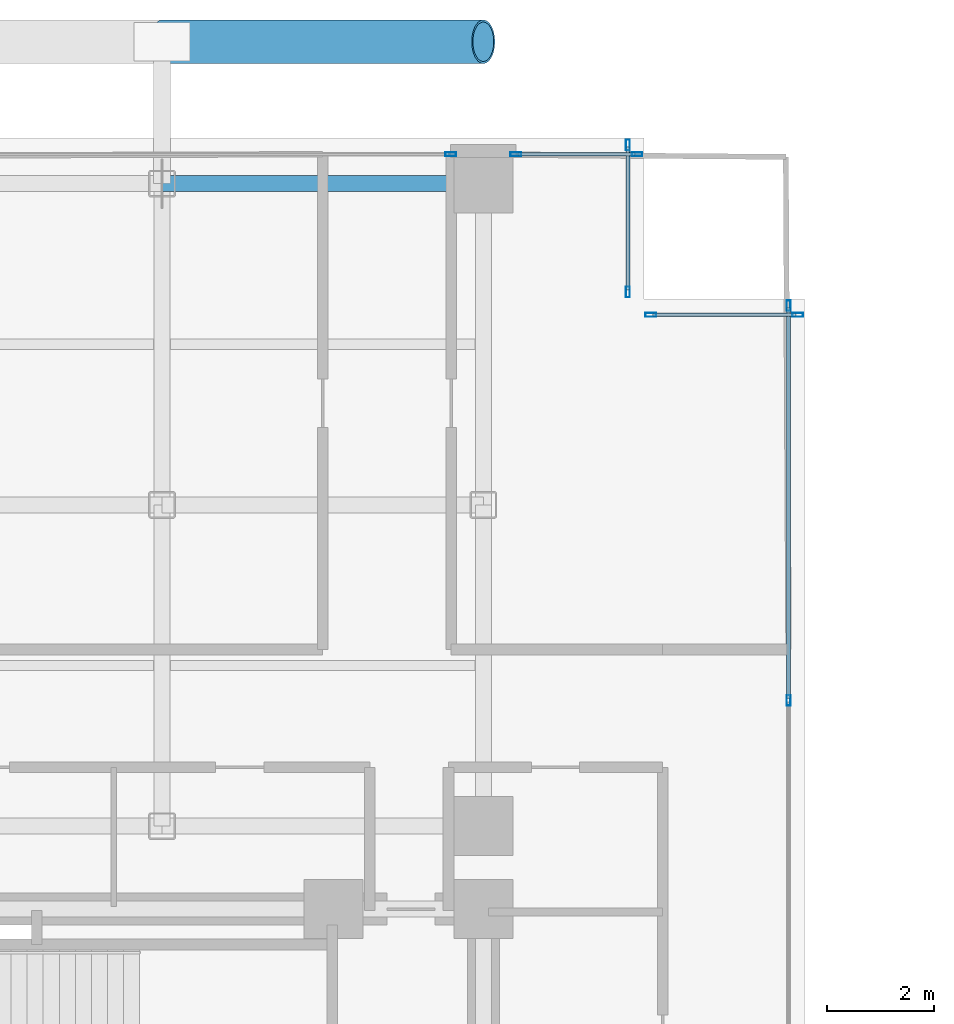
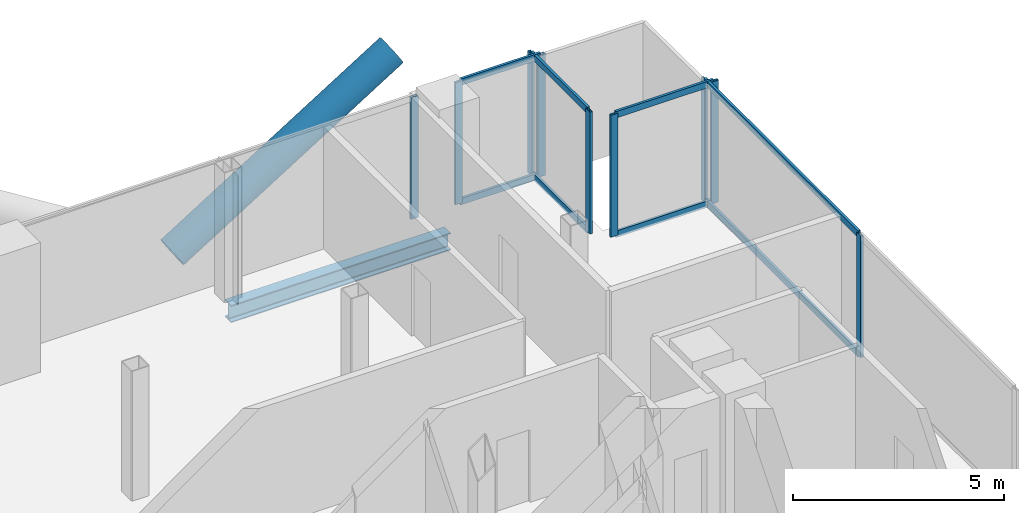
# One storey, part 17 of 28: 18 members, 1 beam, 5 elements without a shape of their own.
"""IFC4 building model written with IfcOpenShell, lengths in metres."""

from ifc_helpers import new_model, si_unit, direction, frame, origin, origin_2d, place, context, subcontext, project, spatial, hollow_rectangle, hollow_circle, i_section, extrude, material, layer, layer_set, material_profile, profile_set, type_object, element, aggregate, save


model = new_model("IFC4")

# Units and contexts
model_context = context("Model", 3, precision=1e-05, world=origin(), true_north=direction((0.0, 1.0)))
body_context = subcontext(model_context, "Body", "Model", "MODEL_VIEW")
ifc_project = project(units=[si_unit("LENGTHUNIT", "METRE"), si_unit("AREAUNIT", "SQUARE_METRE"), si_unit("VOLUMEUNIT", "CUBIC_METRE"), si_unit("PLANEANGLEUNIT", "RADIAN"), si_unit("MASSUNIT", "GRAM", prefix="KILO"), si_unit("THERMODYNAMICTEMPERATUREUNIT", "KELVIN"), si_unit("POWERUNIT", "WATT")], contexts=[model_context])

# Site, building, storey
site_placement = place(None, origin())
site = spatial("IfcSite", under=ifc_project, at=site_placement, CompositionType="ELEMENT")
building_placement = place(site_placement, origin())
building = spatial("IfcBuilding", under=site, at=building_placement, Name="Svarakhadi Broadcast Tower", CompositionType="ELEMENT")
storey_placement = place(building_placement, frame((0.0, 0.0, 138.14990234375)))
storey = spatial("IfcBuildingStorey", under=building, at=storey_placement, Name="L33", CompositionType="ELEMENT", Elevation=138.14990234375)

# Curtain wall, member
ifc_material_1 = material(Name="Anodised Bronze Aluminium AA 6063-T6", Category="aluminium")
ifc_layer = layer(ifc_material_1, 0.199951171875)
ifc_layer_set = layer_set([ifc_layer], Name="Anodised Bronze Aluminium AA 6063-T6")
curtain_wall_type = type_object("IfcCurtainWallType", Name="CW_Sys_03", PredefinedType="NOTDEFINED", material=ifc_layer_set)
curtain_wall_1_placement = place(storey_placement, origin())
curtain_wall_1 = element("IfcCurtainWall", 1, at=curtain_wall_1_placement, inside=storey, type_object=curtain_wall_type, Name="L33 Unitised Facade Curtain Wall 06 Bay 2", PredefinedType="NOTDEFINED")
ifc_material_profile_1 = material_profile(ifc_material_1, hollow_rectangle(XDim=0.074951171875, YDim=0.199951171875, WallThickness=0.005615234375, at=origin_2d()), Name="ALU MULLION 200x75x6")
ifc_profile_set_1 = profile_set([ifc_material_profile_1], Name="Anodised Bronze Aluminium AA 6063-T6")
member_type_1 = type_object("IfcMemberType", Name="CW_Sys_03_Mul", PredefinedType="MULLION", material=ifc_profile_set_1)
member_1_placement = place(storey_placement, frame((17.392578125, 41.699951171875, 0.0), z_axis=(0.0, 0.0, 1.0), x_axis=(0.0, 1.0, 0.0)))
member_1 = element("IfcMember", 2, at=member_1_placement, type_object=member_type_1, Name="CW-03 mullion 2", PredefinedType="MULLION", context=body_context, shape_type="SweptSolid", body=[
    extrude(hollow_rectangle(XDim=0.074951171875, YDim=0.199951171875, WallThickness=0.005615234375, at=origin_2d()), origin(), (0.0, 0.0, 1.0), 3.525146484375),
])
aggregate(curtain_wall_1, [member_1])

# Curtain wall, members
curtain_wall_2_placement = place(storey_placement, origin())
curtain_wall_2 = element("IfcCurtainWall", 3, at=curtain_wall_2_placement, inside=storey, type_object=curtain_wall_type, Name="L33 Unitised Facade Curtain Wall 06 Bay 3", PredefinedType="NOTDEFINED")
member_2_placement = place(storey_placement, frame((18.607421875, 41.699951171875, 0.0), z_axis=(0.0, 0.0, 1.0), x_axis=(0.0, 1.0, 0.0)))
member_2 = element("IfcMember", 4, at=member_2_placement, type_object=member_type_1, Name="CW-03 mullion 1", PredefinedType="MULLION", context=body_context, shape_type="SweptSolid", body=[
    extrude(hollow_rectangle(XDim=0.074951171875, YDim=0.199951171875, WallThickness=0.005615234375, at=origin_2d()), origin(), (0.0, 0.0, 1.0), 3.525146484375),
])
member_3_placement = place(storey_placement, frame((20.87255859375, 41.699951171875, 0.0), z_axis=(0.0, 0.0, 1.0), x_axis=(0.0, 1.0, 0.0)))
member_3 = element("IfcMember", 5, at=member_3_placement, type_object=member_type_1, Name="CW-03 mullion 2", PredefinedType="MULLION", context=body_context, shape_type="SweptSolid", body=[
    extrude(hollow_rectangle(XDim=0.074951171875, YDim=0.199951171875, WallThickness=0.005615234375, at=origin_2d()), origin(), (0.0, 0.0, 1.0), 3.525146484375),
])

curtain_wall_3_placement = place(storey_placement, origin())
curtain_wall_3 = element("IfcCurtainWall", 6, at=curtain_wall_3_placement, inside=storey, type_object=curtain_wall_type, Name="L33 Unitised Facade Curtain Wall 07", PredefinedType="NOTDEFINED")
member_4_placement = place(storey_placement, frame((20.699951171875, 41.87255859375, 0.0), z_axis=(0.0, 0.0, 1.0), x_axis=(1.0, 0.0, 0.0)))
member_4 = element("IfcMember", 7, at=member_4_placement, type_object=member_type_1, Name="CW-03 mullion 1", PredefinedType="MULLION", context=body_context, shape_type="SweptSolid", body=[
    extrude(hollow_rectangle(XDim=0.074951171875, YDim=0.199951171875, WallThickness=0.005615234375, at=origin_2d()), origin(), (0.0, 0.0, 1.0), 3.525146484375),
])
member_5_placement = place(storey_placement, frame((20.699951171875, 39.12744140625, 0.0), z_axis=(0.0, 0.0, 1.0), x_axis=(1.0, 0.0, 0.0)))
member_5 = element("IfcMember", 8, at=member_5_placement, type_object=member_type_1, Name="CW-03 mullion 2", PredefinedType="MULLION", context=body_context, shape_type="SweptSolid", body=[
    extrude(hollow_rectangle(XDim=0.074951171875, YDim=0.199951171875, WallThickness=0.005615234375, at=origin_2d()), origin(), (0.0, 0.0, 1.0), 3.525146484375),
])

curtain_wall_4_placement = place(storey_placement, origin())
curtain_wall_4 = element("IfcCurtainWall", 9, at=curtain_wall_4_placement, inside=storey, type_object=curtain_wall_type, Name="L33 Unitised Facade Curtain Wall 08", PredefinedType="NOTDEFINED")
member_6_placement = place(storey_placement, frame((21.12744140625, 38.699951171875, 0.0), z_axis=(0.0, 0.0, 1.0), x_axis=(0.0, 1.0, 0.0)))
member_6 = element("IfcMember", 10, at=member_6_placement, type_object=member_type_1, Name="CW-03 mullion 1", PredefinedType="MULLION", context=body_context, shape_type="SweptSolid", body=[
    extrude(hollow_rectangle(XDim=0.074951171875, YDim=0.199951171875, WallThickness=0.005615234375, at=origin_2d()), origin(), (0.0, 0.0, 1.0), 3.525146484375),
])
member_7_placement = place(storey_placement, frame((23.87255859375, 38.699951171875, 0.0), z_axis=(0.0, 0.0, 1.0), x_axis=(0.0, 1.0, 0.0)))
member_7 = element("IfcMember", 11, at=member_7_placement, type_object=member_type_1, Name="CW-03 mullion 2", PredefinedType="MULLION", context=body_context, shape_type="SweptSolid", body=[
    extrude(hollow_rectangle(XDim=0.074951171875, YDim=0.199951171875, WallThickness=0.005615234375, at=origin_2d()), origin(), (0.0, 0.0, 1.0), 3.525146484375),
])

curtain_wall_5_placement = place(storey_placement, origin())
curtain_wall_5 = element("IfcCurtainWall", 12, at=curtain_wall_5_placement, inside=storey, type_object=curtain_wall_type, Name="L33 Unitised Facade Curtain Wall 09", PredefinedType="NOTDEFINED")
member_8_placement = place(storey_placement, frame((23.699951171875, 38.87255859375, 0.0), z_axis=(0.0, 0.0, 1.0), x_axis=(1.0, 0.0, 0.0)))
member_8 = element("IfcMember", 13, at=member_8_placement, type_object=member_type_1, Name="CW-03 mullion 1", PredefinedType="MULLION", context=body_context, shape_type="SweptSolid", body=[
    extrude(hollow_rectangle(XDim=0.074951171875, YDim=0.199951171875, WallThickness=0.005615234375, at=origin_2d()), origin(), (0.0, 0.0, 1.0), 3.525146484375),
])
member_9_placement = place(storey_placement, frame((23.699951171875, 31.5, 0.0), z_axis=(0.0, 0.0, 1.0), x_axis=(1.0, 0.0, 0.0)))
member_9 = element("IfcMember", 14, at=member_9_placement, type_object=member_type_1, Name="CW-03 mullion 2", PredefinedType="MULLION", context=body_context, shape_type="SweptSolid", body=[
    extrude(hollow_rectangle(XDim=0.074951171875, YDim=0.199951171875, WallThickness=0.005615234375, at=origin_2d()), origin(), (0.0, 0.0, 1.0), 3.525146484375),
])

# Member
ifc_material_profile_2 = material_profile(ifc_material_1, hollow_rectangle(XDim=0.070068359375, YDim=0.18505859375, WallThickness=0.0048828125, at=origin_2d()), Name="ALU TRANSOM 185x70x5")
ifc_profile_set_2 = profile_set([ifc_material_profile_2], Name="Anodised Bronze Aluminium AA 6063-T6")
member_type_2 = type_object("IfcMemberType", Name="CW_Sys_03_Trn", PredefinedType="USERDEFINED", material=ifc_profile_set_2)
member_10_placement = place(storey_placement, frame((18.64501953125, 41.699951171875, 0.03515625), z_axis=(1.0, 0.0, 0.0), x_axis=(0.0, 1.0, 0.0)))
member_10 = element("IfcMember", 15, at=member_10_placement, type_object=member_type_2, Name="CW-03 transom 1.1", ObjectType="TRANSOM", PredefinedType="USERDEFINED", context=body_context, shape_type="SweptSolid", body=[
    extrude(hollow_rectangle(XDim=0.070068359375, YDim=0.18505859375, WallThickness=0.0048828125, at=origin_2d()), origin(), (0.0, 0.0, 1.0), 2.18994140625),
])

member_11_placement = place(storey_placement, frame((18.64501953125, 41.699951171875, 3.489990234375), z_axis=(1.0, 0.0, 0.0), x_axis=(0.0, 1.0, 0.0)))
member_11 = element("IfcMember", 16, at=member_11_placement, type_object=member_type_2, Name="CW-03 transom 1.2", ObjectType="TRANSOM", PredefinedType="USERDEFINED", context=body_context, shape_type="SweptSolid", body=[
    extrude(hollow_rectangle(XDim=0.070068359375, YDim=0.18505859375, WallThickness=0.0048828125, at=origin_2d()), origin(), (0.0, 0.0, 1.0), 2.18994140625),
])

aggregate(curtain_wall_2, [member_2, member_3, member_10, member_11])

member_12_placement = place(storey_placement, frame((20.699951171875, 41.8349609375, 0.03515625), z_axis=(0.0, -1.0, 0.0), x_axis=(1.0, 0.0, 0.0)))
member_12 = element("IfcMember", 17, at=member_12_placement, type_object=member_type_2, Name="CW-03 transom 1.1", ObjectType="TRANSOM", PredefinedType="USERDEFINED", context=body_context, shape_type="SweptSolid", body=[
    extrude(hollow_rectangle(XDim=0.070068359375, YDim=0.18505859375, WallThickness=0.0048828125, at=origin_2d()), origin(), (0.0, 0.0, 1.0), 2.669921875),
])

member_13_placement = place(storey_placement, frame((20.699951171875, 41.8349609375, 3.489990234375), z_axis=(0.0, -1.0, 0.0), x_axis=(1.0, 0.0, 0.0)))
member_13 = element("IfcMember", 18, at=member_13_placement, type_object=member_type_2, Name="CW-03 transom 1.2", ObjectType="TRANSOM", PredefinedType="USERDEFINED", context=body_context, shape_type="SweptSolid", body=[
    extrude(hollow_rectangle(XDim=0.070068359375, YDim=0.18505859375, WallThickness=0.0048828125, at=origin_2d()), origin(), (0.0, 0.0, 1.0), 2.669921875),
])

aggregate(curtain_wall_3, [member_4, member_5, member_12, member_13])

member_14_placement = place(storey_placement, frame((21.1650390625, 38.699951171875, 0.03515625), z_axis=(1.0, 0.0, 0.0), x_axis=(0.0, 1.0, 0.0)))
member_14 = element("IfcMember", 19, at=member_14_placement, type_object=member_type_2, Name="CW-03 transom 1.1", ObjectType="TRANSOM", PredefinedType="USERDEFINED", context=body_context, shape_type="SweptSolid", body=[
    extrude(hollow_rectangle(XDim=0.070068359375, YDim=0.18505859375, WallThickness=0.0048828125, at=origin_2d()), origin(), (0.0, 0.0, 1.0), 2.669921875),
])

member_15_placement = place(storey_placement, frame((21.1650390625, 38.699951171875, 3.489990234375), z_axis=(1.0, 0.0, 0.0), x_axis=(0.0, 1.0, 0.0)))
member_15 = element("IfcMember", 20, at=member_15_placement, type_object=member_type_2, Name="CW-03 transom 1.2", ObjectType="TRANSOM", PredefinedType="USERDEFINED", context=body_context, shape_type="SweptSolid", body=[
    extrude(hollow_rectangle(XDim=0.070068359375, YDim=0.18505859375, WallThickness=0.0048828125, at=origin_2d()), origin(), (0.0, 0.0, 1.0), 2.669921875),
])

aggregate(curtain_wall_4, [member_6, member_7, member_14, member_15])

member_16_placement = place(storey_placement, frame((23.699951171875, 38.8349609375, 0.03515625), z_axis=(0.0, -1.0, 0.0), x_axis=(1.0, 0.0, 0.0)))
member_16 = element("IfcMember", 21, at=member_16_placement, type_object=member_type_2, Name="CW-03 transom 1.1", ObjectType="TRANSOM", PredefinedType="USERDEFINED", context=body_context, shape_type="SweptSolid", body=[
    extrude(hollow_rectangle(XDim=0.070068359375, YDim=0.18505859375, WallThickness=0.0048828125, at=origin_2d()), origin(), (0.0, 0.0, 1.0), 7.29736328125),
])

member_17_placement = place(storey_placement, frame((23.699951171875, 38.8349609375, 3.489990234375), z_axis=(0.0, -1.0, 0.0), x_axis=(1.0, 0.0, 0.0)))
member_17 = element("IfcMember", 22, at=member_17_placement, type_object=member_type_2, Name="CW-03 transom 1.2", ObjectType="TRANSOM", PredefinedType="USERDEFINED", context=body_context, shape_type="SweptSolid", body=[
    extrude(hollow_rectangle(XDim=0.070068359375, YDim=0.18505859375, WallThickness=0.0048828125, at=origin_2d()), origin(), (0.0, 0.0, 1.0), 7.29736328125),
])

aggregate(curtain_wall_5, [member_8, member_9, member_16, member_17])

ifc_material_2 = material(Name="Steel S460ML (IS 2062 E450BR)", Category="steel")
ifc_material_profile_3 = material_profile(ifc_material_2, hollow_circle(Radius=0.406494140625, WallThickness=0.0400390625, at=origin_2d()), Name="CHS 813x40")
ifc_profile_set_3 = profile_set([ifc_material_profile_3], Name="Steel S460ML (IS 2062 E450BR)")
member_type_3 = type_object("IfcMemberType", Name="Exo_Brace_CHS813", PredefinedType="BRACE", material=ifc_profile_set_3)
member_18_placement = place(storey_placement, frame((12.0, 43.800048828125, -0.386962890625), z_axis=(0.847998304005, 0.0, 0.529998940003), x_axis=(0.0, 1.0, 0.0)))
element("IfcMember", 23, at=member_18_placement, inside=storey, type_object=member_type_3, Name="L33 Exposed Bronze Exoskeleton Diagonal N11", PredefinedType="BRACE", context=body_context, shape_type="SweptSolid", body=[
    extrude(hollow_circle(Radius=0.406494140625, WallThickness=0.0400390625, at=origin_2d()), origin(), (0.0, 0.0, 1.0), 7.075439453125),
])

# Beam
ifc_material_3 = material(Name="Steel S355J2 (IS 2062 E350C)", Category="steel")
ifc_material_profile_4 = material_profile(ifc_material_3, i_section(OverallWidth=0.300048828125, OverallDepth=0.5, WebThickness=0.014404296875, FlangeThickness=0.028076171875, FilletRadius=0.027099609375, at=origin_2d()), Name="WPB 500x300x187")
ifc_profile_set_4 = profile_set([ifc_material_profile_4], Name="Steel S355J2 (IS 2062 E350C)")
beam_type = type_object("IfcBeamType", Name="Girder_WPB500", PredefinedType="USERDEFINED", material=ifc_profile_set_4)
beam_placement = place(storey_placement, frame((12.0, 41.14990234375, -0.474853515625), z_axis=(1.0, 0.0, 0.0), x_axis=(0.0, 1.0, 0.0)))
element("IfcBeam", 24, at=beam_placement, inside=storey, type_object=beam_type, Name="L33 Primary E-W Girder G039", ObjectType="GIRDER", PredefinedType="USERDEFINED", context=body_context, shape_type="SweptSolid", body=[
    extrude(i_section(OverallWidth=0.300048828125, OverallDepth=0.5, WebThickness=0.014404296875, FlangeThickness=0.028076171875, FilletRadius=0.027099609375, at=origin_2d()), origin(), (0.0, 0.0, 1.0), 6.0),
])

save(model, "model.ifc")
